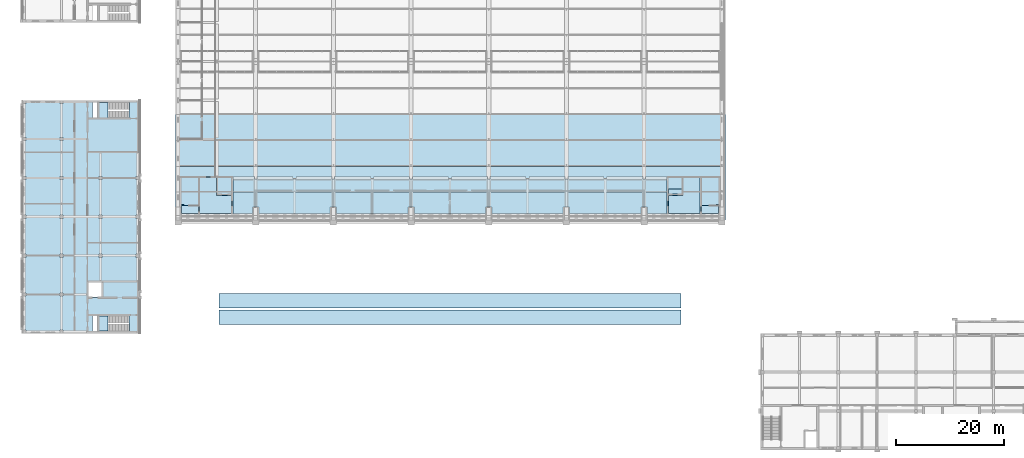
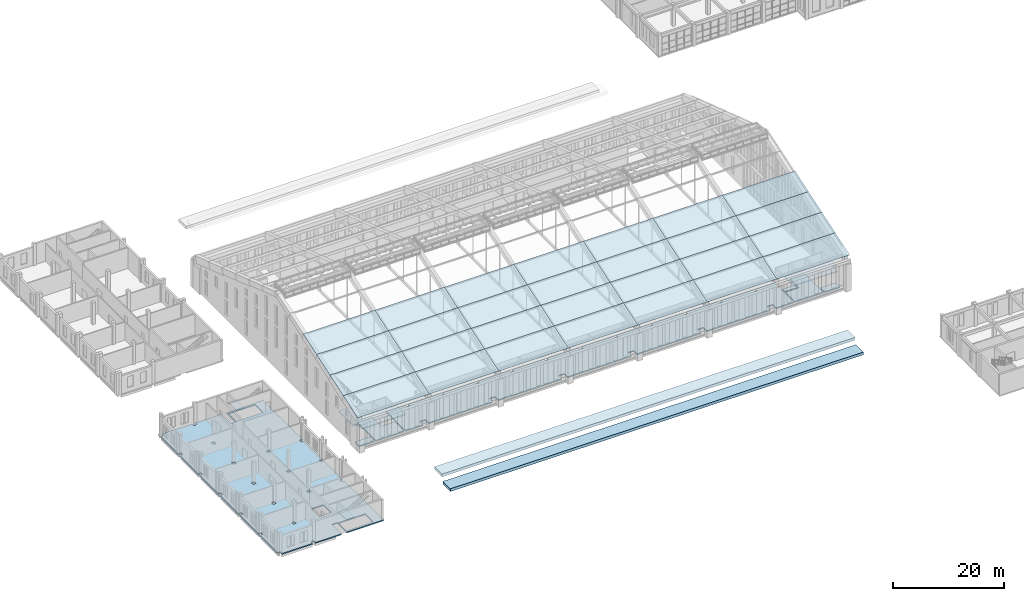
# One storey, part 110 of 149: 41 slabs, 2 elements without a shape of their own.
"""IFC4 building model written with IfcOpenShell, lengths in metres."""

from ifc_helpers import new_model, si_unit, direction, frame, origin, place, context, subcontext, project, spatial, polyline, outline, extrude, material, layer, layer_set, type_object, element, aggregate, save


model = new_model("IFC4")

# Units and contexts
model_context = context("Model", 3, precision=1e-05, world=origin(), true_north=direction((0.0, 1.0)))
body_context = subcontext(model_context, "Body", "Model", "MODEL_VIEW")
ifc_project = project(units=[si_unit("LENGTHUNIT", "METRE"), si_unit("AREAUNIT", "SQUARE_METRE"), si_unit("VOLUMEUNIT", "CUBIC_METRE"), si_unit("PLANEANGLEUNIT", "RADIAN"), si_unit("MASSUNIT", "GRAM", prefix="KILO")], contexts=[model_context])

# Site, building, storey
site_placement = place(None, origin())
site = spatial("IfcSite", under=ifc_project, at=site_placement, CompositionType="ELEMENT")
building_placement = place(site_placement, origin())
building = spatial("IfcBuilding", under=site, at=building_placement, Name="Alderwick Market Hall", CompositionType="ELEMENT")
storey_placement = place(building_placement, frame((0.0, 0.0, 9.60009765625)))
storey = spatial("IfcBuildingStorey", under=building, at=storey_placement, Name="L01", CompositionType="ELEMENT", Elevation=9.60009765625)

# Slabs
ifc_material_1 = material(Name="Planted soil build-up, Concrete 4000 psi (f'c 28 MPa) drainage layer", Category="concrete")
ifc_layer_1 = layer(ifc_material_1, 0.60009765625)
ifc_layer_set_1 = layer_set([ifc_layer_1], Name="Planted soil build-up, Concrete 4000 psi (f'c 28 MPa) drainage layer")
slab_type_1 = type_object("IfcSlabType", Name="A Planted Terrace Tread 600", PredefinedType="ROOF", material=ifc_layer_set_1)
slab_1_placement = place(storey_placement, frame((0.0, 0.0, 1.39990234375)))
element("IfcSlab", 1, at=slab_1_placement, inside=storey, type_object=slab_type_1, Name="Planted terrace tread 1", PredefinedType="ROOF", context=body_context, shape_type="SweptSolid", body=[
    extrude(outline(polyline([(58.0, 33.449951171875), (143.60009765625, 33.449951171875), (143.60009765625, 36.14990234375), (58.0, 36.14990234375), (58.0, 33.449951171875)])), origin(), (0.0, 0.0, 1.0), 0.60009765625),
])
slab_2_placement = place(storey_placement, origin())
element("IfcSlab", 2, at=slab_2_placement, inside=storey, type_object=slab_type_1, Name="Planted terrace tread 2", PredefinedType="ROOF", context=body_context, shape_type="SweptSolid", body=[
    extrude(outline(polyline([(58.0, 30.449951171875), (143.60009765625, 30.449951171875), (143.60009765625, 33.14990234375), (58.0, 33.14990234375), (58.0, 30.449951171875)])), origin(), (0.0, 0.0, 1.0), 0.599853515625),
])
ifc_material_2 = material(Name="Concrete 4000 psi (f'c 28 MPa)", Category="concrete")
ifc_layer_2 = layer(ifc_material_2, 0.25)
ifc_layer_set_2 = layer_set([ifc_layer_2], Name="Concrete 4000 psi (f'c 28 MPa)")
slab_type_2 = type_object("IfcSlabType", Name="B RC Floor Slab 250", PredefinedType="FLOOR", material=ifc_layer_set_2)
slab_3_placement = place(storey_placement, frame((0.0, 0.0, -0.25)))
element("IfcSlab", 3, at=slab_3_placement, inside=storey, type_object=slab_type_2, Name="B.S.slab.L01", PredefinedType="FLOOR", context=body_context, shape_type="SweptSolid", body=[
    extrude(outline(polyline([(22.199951171875, 65.10009765625), (21.60009765625, 65.10009765625), (21.60009765625, 71.39990234375), (22.199951171875, 71.39990234375), (22.199951171875, 72.0), (28.5, 72.0), (28.5, 71.39990234375), (29.10009765625, 71.39990234375), (29.10009765625, 72.0), (34.5, 72.0), (34.5, 68.60009765625), (35.60009765625, 68.60009765625), (35.60009765625, 72.0), (43.199951171875, 72.0), (43.199951171875, 57.89990234375), (42.60009765625, 57.89990234375), (42.60009765625, 57.300048828125), (43.199951171875, 57.300048828125), (43.199951171875, 50.699951171875), (42.60009765625, 50.699951171875), (42.60009765625, 50.10009765625), (43.199951171875, 50.10009765625), (43.199951171875, 43.5), (42.60009765625, 43.5), (42.60009765625, 42.89990234375), (43.199951171875, 42.89990234375), (43.199951171875, 28.800048828125), (35.60009765625, 28.800048828125), (35.60009765625, 32.199951171875), (34.5, 32.199951171875), (34.5, 28.800048828125), (29.10009765625, 28.800048828125), (29.10009765625, 29.39990234375), (28.5, 29.39990234375), (28.5, 28.800048828125), (22.199951171875, 28.800048828125), (22.199951171875, 29.39990234375), (21.60009765625, 29.39990234375), (21.60009765625, 35.699951171875), (22.199951171875, 35.699951171875), (22.199951171875, 36.300048828125), (21.60009765625, 36.300048828125), (21.60009765625, 42.89990234375), (22.199951171875, 42.89990234375), (22.199951171875, 43.5), (21.60009765625, 43.5), (21.60009765625, 50.10009765625), (22.199951171875, 50.10009765625), (22.199951171875, 50.699951171875), (21.60009765625, 50.699951171875), (21.60009765625, 57.300048828125), (22.199951171875, 57.300048828125), (22.199951171875, 57.89990234375), (21.60009765625, 57.89990234375), (21.60009765625, 64.5), (22.199951171875, 64.5), (22.199951171875, 65.10009765625)]), holes=[polyline([(29.10009765625, 36.300048828125), (28.5, 36.300048828125), (28.5, 35.699951171875), (29.10009765625, 35.699951171875), (29.10009765625, 36.300048828125)]), polyline([(29.10009765625, 42.89990234375), (29.10009765625, 43.5), (28.5, 43.5), (28.5, 42.89990234375), (29.10009765625, 42.89990234375)]), polyline([(28.5, 50.10009765625), (29.10009765625, 50.10009765625), (29.10009765625, 50.699951171875), (28.5, 50.699951171875), (28.5, 50.10009765625)]), polyline([(28.5, 57.89990234375), (28.5, 57.300048828125), (29.10009765625, 57.300048828125), (29.10009765625, 57.89990234375), (28.5, 57.89990234375)]), polyline([(29.10009765625, 65.10009765625), (28.5, 65.10009765625), (28.5, 64.5), (29.10009765625, 64.5), (29.10009765625, 65.10009765625)]), polyline([(35.699951171875, 42.89990234375), (36.300048828125, 42.89990234375), (36.300048828125, 43.5), (35.699951171875, 43.5), (35.699951171875, 42.89990234375)]), polyline([(35.699951171875, 50.699951171875), (35.699951171875, 50.10009765625), (36.300048828125, 50.10009765625), (36.300048828125, 50.699951171875), (35.699951171875, 50.699951171875)]), polyline([(36.300048828125, 57.89990234375), (35.699951171875, 57.89990234375), (35.699951171875, 57.300048828125), (36.300048828125, 57.300048828125), (36.300048828125, 57.89990234375)]), polyline([(41.2900390625, 32.050048828125), (35.75, 32.050048828125), (35.75, 29.199951171875), (41.2900390625, 29.199951171875), (41.2900390625, 32.050048828125)]), polyline([(36.25, 35.550048828125), (36.25, 38.25), (33.75, 38.25), (33.75, 35.550048828125), (36.25, 35.550048828125)]), polyline([(35.75, 71.60009765625), (35.75, 68.75), (41.2900390625, 68.75), (41.2900390625, 71.60009765625), (35.75, 71.60009765625)])]), origin(), (0.0, 0.0, 1.0), 0.25),
])

# Stair, slab
ifc_material_3 = material(Name="Concrete 5000 psi (f'c 35 MPa)", Category="concrete")
stair_type = type_object("IfcStairType", Name="B Exit Stair 1300", PredefinedType="TWO_STRAIGHT_RUN_STAIR", material=ifc_material_3)
stair_1_placement = place(storey_placement, origin())
stair_1 = element("IfcStair", 4, at=stair_1_placement, inside=storey, type_object=stair_type, Name="Stair S-1 L01", PredefinedType="TWO_STRAIGHT_RUN_STAIR")
ifc_layer_3 = layer(ifc_material_3, 0.199951171875)
ifc_layer_set_3 = layer_set([ifc_layer_3], Name="Concrete 5000 psi (f'c 35 MPa)")
slab_type_3 = type_object("IfcSlabType", Name="B Stair Landing 200", PredefinedType="LANDING", material=ifc_layer_set_3)
slab_4_placement = place(storey_placement, frame((0.0, 0.0, 2.199951171875)))
slab_4 = element("IfcSlab", 5, at=slab_4_placement, type_object=slab_type_3, Name="B-ST-S-1-L01 landing 1", PredefinedType="LANDING", context=body_context, shape_type="SweptSolid", body=[
    extrude(outline(polyline([(35.75, 29.199951171875), (37.3798828125, 29.199951171875), (37.3798828125, 32.050048828125), (35.75, 32.050048828125), (35.75, 29.199951171875)])), origin(), (0.0, 0.0, 1.0), 0.199951171875),
])
aggregate(stair_1, [slab_4])

stair_2_placement = place(storey_placement, origin())
stair_2 = element("IfcStair", 6, at=stair_2_placement, inside=storey, type_object=stair_type, Name="Stair S-2 L01", PredefinedType="TWO_STRAIGHT_RUN_STAIR")
slab_5_placement = place(storey_placement, frame((0.0, 0.0, 2.199951171875)))
slab_5 = element("IfcSlab", 7, at=slab_5_placement, type_object=slab_type_3, Name="B-ST-S-2-L01 landing 1", PredefinedType="LANDING", context=body_context, shape_type="SweptSolid", body=[
    extrude(outline(polyline([(35.75, 71.60009765625), (37.3798828125, 71.60009765625), (37.3798828125, 68.75), (35.75, 68.75), (35.75, 71.60009765625)])), origin(), (0.0, 0.0, 1.0), 0.199951171875),
])
aggregate(stair_2, [slab_5])

# Slabs
ifc_layer_4 = layer(ifc_material_2, 0.199951171875)
ifc_layer_set_4 = layer_set([ifc_layer_4], Name="Concrete 4000 psi (f'c 28 MPa)")
slab_type_4 = type_object("IfcSlabType", Name="H Core roof slab 200", PredefinedType="ROOF", material=ifc_layer_set_4)
slab_6_placement = place(storey_placement, frame((0.0, 0.0, 3.39990234375)))
element("IfcSlab", 8, at=slab_6_placement, inside=storey, type_object=slab_type_4, Name="Core roof H-SW", PredefinedType="ROOF", context=body_context, shape_type="SweptSolid", body=[
    extrude(outline(polyline([(50.699951171875, 57.889892578125), (60.550048828125, 57.889892578125), (60.550048828125, 51.0), (51.5, 51.0), (51.5, 52.699951171875), (50.699951171875, 52.699951171875), (50.699951171875, 57.889892578125)])), origin(), (0.0, 0.0, 1.0), 0.199951171875),
])
slab_7_placement = place(storey_placement, frame((0.0, 0.0, 3.39990234375)))
element("IfcSlab", 9, at=slab_7_placement, inside=storey, type_object=slab_type_4, Name="Core roof H-SE", PredefinedType="ROOF", context=body_context, shape_type="SweptSolid", body=[
    extrude(outline(polyline([(141.050048828125, 51.0), (141.050048828125, 57.889892578125), (150.89990234375, 57.889892578125), (150.89990234375, 52.699951171875), (150.10009765625, 52.699951171875), (150.10009765625, 51.0), (141.050048828125, 51.0)])), origin(), (0.0, 0.0, 1.0), 0.199951171875),
])
ifc_layer_5 = layer(ifc_material_2, 0.25)
ifc_layer_set_5 = layer_set([ifc_layer_5], Name="Concrete 4000 psi (f'c 28 MPa)")
slab_type_5 = type_object("IfcSlabType", Name="H Gallery slab 250", PredefinedType="FLOOR", material=ifc_layer_set_5)
slab_8_placement = place(storey_placement, frame((0.0, 0.0, -0.25)))
element("IfcSlab", 10, at=slab_8_placement, inside=storey, type_object=slab_type_5, Name="Gallery floor L01", PredefinedType="FLOOR", context=body_context, shape_type="SweptSolid", body=[
    extrude(outline(polyline([(137.39990234375, 52.199951171875), (136.199951171875, 52.199951171875), (136.199951171875, 51.0), (123.0, 51.0), (123.0, 52.199951171875), (121.800048828125, 52.199951171875), (121.800048828125, 51.0), (108.60009765625, 51.0), (108.60009765625, 52.199951171875), (107.39990234375, 52.199951171875), (107.39990234375, 51.0), (94.199951171875, 51.0), (94.199951171875, 52.199951171875), (93.0, 52.199951171875), (93.0, 51.0), (79.800048828125, 51.0), (79.800048828125, 52.199951171875), (78.60009765625, 52.199951171875), (78.60009765625, 51.0), (65.39990234375, 51.0), (65.39990234375, 52.199951171875), (64.199951171875, 52.199951171875), (64.199951171875, 51.0), (60.550048828125, 51.0), (60.550048828125, 57.889892578125), (64.550048828125, 57.889892578125), (64.550048828125, 57.389892578125), (65.050048828125, 57.389892578125), (65.050048828125, 57.889892578125), (71.75, 57.889892578125), (71.75, 57.389892578125), (72.25, 57.389892578125), (72.25, 57.889892578125), (78.949951171875, 57.889892578125), (78.949951171875, 57.389892578125), (79.449951171875, 57.389892578125), (79.449951171875, 57.889892578125), (86.14990234375, 57.889892578125), (86.14990234375, 57.389892578125), (86.64990234375, 57.389892578125), (86.64990234375, 57.889892578125), (93.35009765625, 57.889892578125), (93.35009765625, 57.389892578125), (93.85009765625, 57.389892578125), (93.85009765625, 57.889892578125), (100.550048828125, 57.889892578125), (100.550048828125, 57.389892578125), (101.050048828125, 57.389892578125), (101.050048828125, 57.889892578125), (107.75, 57.889892578125), (107.75, 57.389892578125), (108.25, 57.389892578125), (108.25, 57.889892578125), (114.949951171875, 57.889892578125), (114.949951171875, 57.389892578125), (115.449951171875, 57.389892578125), (115.449951171875, 57.889892578125), (122.14990234375, 57.889892578125), (122.14990234375, 57.389892578125), (122.64990234375, 57.389892578125), (122.64990234375, 57.889892578125), (129.35009765625, 57.889892578125), (129.35009765625, 57.389892578125), (129.85009765625, 57.389892578125), (129.85009765625, 57.889892578125), (136.550048828125, 57.889892578125), (136.550048828125, 57.389892578125), (137.050048828125, 57.389892578125), (137.050048828125, 57.889892578125), (141.050048828125, 57.889892578125), (141.050048828125, 51.0), (137.39990234375, 51.0), (137.39990234375, 52.199951171875)])), origin(), (0.0, 0.0, 1.0), 0.25),
])
slab_9_placement = place(storey_placement, frame((0.0, 0.0, -0.25)))
element("IfcSlab", 11, at=slab_9_placement, inside=storey, type_object=slab_type_5, Name="Core floor H-SW L01", PredefinedType="FLOOR", context=body_context, shape_type="SweptSolid", body=[
    extrude(outline(polyline([(51.0, 52.5), (54.14990234375, 52.5), (54.14990234375, 51.0), (51.0, 51.0), (51.0, 52.5)])), origin(), (0.0, 0.0, 1.0), 0.25),
])
slab_10_placement = place(storey_placement, frame((0.0, 0.0, -0.25)))
element("IfcSlab", 12, at=slab_10_placement, inside=storey, type_object=slab_type_5, Name="Core floor H-SW L01", PredefinedType="FLOOR", context=body_context, shape_type="SweptSolid", body=[
    extrude(outline(polyline([(57.550048828125, 57.639892578125), (57.550048828125, 54.389892578125), (60.300048828125, 54.389892578125), (60.300048828125, 51.0), (54.39990234375, 51.0), (54.39990234375, 57.639892578125), (57.550048828125, 57.639892578125)])), origin(), (0.0, 0.0, 1.0), 0.25),
])
slab_11_placement = place(storey_placement, frame((0.0, 0.0, -0.25)))
element("IfcSlab", 13, at=slab_11_placement, inside=storey, type_object=slab_type_5, Name="Core floor H-SE L01", PredefinedType="FLOOR", context=body_context, shape_type="SweptSolid", body=[
    extrude(outline(polyline([(150.60009765625, 51.0), (147.449951171875, 51.0), (147.449951171875, 52.5), (150.60009765625, 52.5), (150.60009765625, 51.0)])), origin(), (0.0, 0.0, 1.0), 0.25),
])
slab_12_placement = place(storey_placement, frame((0.0, 0.0, -0.25)))
element("IfcSlab", 14, at=slab_12_placement, inside=storey, type_object=slab_type_5, Name="Core floor H-SE L01", PredefinedType="FLOOR", context=body_context, shape_type="SweptSolid", body=[
    extrude(outline(polyline([(141.300048828125, 54.389892578125), (144.050048828125, 54.389892578125), (144.050048828125, 57.639892578125), (147.199951171875, 57.639892578125), (147.199951171875, 51.0), (141.300048828125, 51.0), (141.300048828125, 54.389892578125)])), origin(), (0.0, 0.0, 1.0), 0.25),
])
slab_13_placement = place(storey_placement, frame((0.0, 0.0, -0.25)))
element("IfcSlab", 15, at=slab_13_placement, inside=storey, type_object=slab_type_5, Name="Core floor H-SE L01", PredefinedType="FLOOR", context=body_context, shape_type="SweptSolid", body=[
    extrude(outline(polyline([(141.300048828125, 55.5400390625), (143.800048828125, 55.5400390625), (143.800048828125, 54.639892578125), (141.300048828125, 54.639892578125), (141.300048828125, 55.5400390625)])), origin(), (0.0, 0.0, 1.0), 0.25),
])
ifc_material_4 = material(Name="Steel ASTM A653 Grade 50 roof deck", Category="steel")
ifc_layer_6 = layer(ifc_material_4, 0.080078125)
ifc_layer_set_6 = layer_set([ifc_layer_6], Name="Steel ASTM A653 Grade 50 roof deck")
slab_type_6 = type_object("IfcSlabType", Name="R Roof Deck 80 mm", PredefinedType="ROOF", material=ifc_layer_set_6)
slab_14_placement = place(storey_placement, frame((49.949951171875, 49.774658203125, 7.266357421875), z_axis=(0.0, -0.316227766017, 0.948683298051), x_axis=(1.0, 0.0, 0.0)))
element("IfcSlab", 16, at=slab_14_placement, inside=storey, type_object=slab_type_6, Name="Roof deck 1.1", PredefinedType="ROOF", context=body_context, shape_type="SweptSolid", body=[
    extrude(outline(polyline([(0.0, 0.0), (14.85009765625, 0.0), (14.85009765625, 5.442113092413796), (0.0, 5.442113092413796), (0.0, 0.0)])), origin(), (0.0, 0.0, -1.0), 0.080078125),
])
slab_15_placement = place(storey_placement, frame((49.949951171875, 54.9375, 8.9873046875), z_axis=(0.0, -0.316242241517, 0.948678472761), x_axis=(1.0, 0.0, 0.0)))
element("IfcSlab", 17, at=slab_15_placement, inside=storey, type_object=slab_type_6, Name="Roof deck 1.2", PredefinedType="ROOF", context=body_context, shape_type="SweptSolid", body=[
    extrude(outline(polyline([(0.0, 0.0), (14.85009765625, 0.0), (14.85009765625, 5.059721460902856), (0.0, 5.059721460902856), (0.0, 0.0)])), origin(), (0.0, 0.0, -1.0), 0.080078125),
])
slab_16_placement = place(storey_placement, frame((49.949951171875, 59.737548828125, 10.58740234375), z_axis=(0.0, -0.316198814353, 0.948692948114), x_axis=(1.0, 0.0, 0.0)))
element("IfcSlab", 18, at=slab_16_placement, inside=storey, type_object=slab_type_6, Name="Roof deck 1.3", PredefinedType="ROOF", context=body_context, shape_type="SweptSolid", body=[
    extrude(outline(polyline([(0.0, 0.0), (14.85009765625, 0.0), (14.85009765625, 5.059644258625488), (0.0, 5.059644258625488), (0.0, 0.0)])), origin(), (0.0, 0.0, -1.0), 0.080078125),
])
slab_17_placement = place(storey_placement, frame((49.949951171875, 64.53759765625, 12.187255859375), z_axis=(0.0, -0.316242241517, 0.948678472761), x_axis=(1.0, 0.0, 0.0)))
element("IfcSlab", 19, at=slab_17_placement, inside=storey, type_object=slab_type_6, Name="Roof deck 1.4", PredefinedType="ROOF", context=body_context, shape_type="SweptSolid", body=[
    extrude(outline(polyline([(0.0, 0.0), (14.85009765625, 0.0), (14.85009765625, 5.059721460902856), (0.0, 5.059721460902856), (0.0, 0.0)])), origin(), (0.0, 0.0, -1.0), 0.080078125),
])
slab_18_placement = place(storey_placement, frame((64.800048828125, 49.774658203125, 7.266357421875), z_axis=(0.0, -0.316227766017, 0.948683298051), x_axis=(1.0, 0.0, 0.0)))
element("IfcSlab", 20, at=slab_18_placement, inside=storey, type_object=slab_type_6, Name="Roof deck 2.1", PredefinedType="ROOF", context=body_context, shape_type="SweptSolid", body=[
    extrude(outline(polyline([(0.0, 0.0), (14.39990234375, 0.0), (14.39990234375, 5.442113092413796), (0.0, 5.442113092413796), (0.0, 0.0)])), origin(), (0.0, 0.0, -1.0), 0.080078125),
])
slab_19_placement = place(storey_placement, frame((64.800048828125, 54.9375, 8.9873046875), z_axis=(0.0, -0.316242241517, 0.948678472761), x_axis=(1.0, 0.0, 0.0)))
element("IfcSlab", 21, at=slab_19_placement, inside=storey, type_object=slab_type_6, Name="Roof deck 2.2", PredefinedType="ROOF", context=body_context, shape_type="SweptSolid", body=[
    extrude(outline(polyline([(0.0, 0.0), (14.39990234375, 0.0), (14.39990234375, 5.059721460902856), (0.0, 5.059721460902856), (0.0, 0.0)])), origin(), (0.0, 0.0, -1.0), 0.080078125),
])
slab_20_placement = place(storey_placement, frame((64.800048828125, 59.737548828125, 10.58740234375), z_axis=(0.0, -0.316198814353, 0.948692948114), x_axis=(1.0, 0.0, 0.0)))
element("IfcSlab", 22, at=slab_20_placement, inside=storey, type_object=slab_type_6, Name="Roof deck 2.3", PredefinedType="ROOF", context=body_context, shape_type="SweptSolid", body=[
    extrude(outline(polyline([(0.0, 0.0), (14.39990234375, 0.0), (14.39990234375, 5.059644258625488), (0.0, 5.059644258625488), (0.0, 0.0)])), origin(), (0.0, 0.0, -1.0), 0.080078125),
])
slab_21_placement = place(storey_placement, frame((64.800048828125, 64.53759765625, 12.187255859375), z_axis=(0.0, -0.316242241517, 0.948678472761), x_axis=(1.0, 0.0, 0.0)))
element("IfcSlab", 23, at=slab_21_placement, inside=storey, type_object=slab_type_6, Name="Roof deck 2.4", PredefinedType="ROOF", context=body_context, shape_type="SweptSolid", body=[
    extrude(outline(polyline([(0.0, 0.0), (14.39990234375, 0.0), (14.39990234375, 5.059721460902856), (0.0, 5.059721460902856), (0.0, 0.0)])), origin(), (0.0, 0.0, -1.0), 0.080078125),
])
slab_22_placement = place(storey_placement, frame((79.199951171875, 49.774658203125, 7.266357421875), z_axis=(0.0, -0.316227766017, 0.948683298051), x_axis=(1.0, 0.0, 0.0)))
element("IfcSlab", 24, at=slab_22_placement, inside=storey, type_object=slab_type_6, Name="Roof deck 3.1", PredefinedType="ROOF", context=body_context, shape_type="SweptSolid", body=[
    extrude(outline(polyline([(0.0, 0.0), (14.400146484375, 0.0), (14.400146484375, 5.442113092413796), (0.0, 5.442113092413796), (0.0, 0.0)])), origin(), (0.0, 0.0, -1.0), 0.080078125),
])
slab_23_placement = place(storey_placement, frame((79.199951171875, 54.9375, 8.9873046875), z_axis=(0.0, -0.316242241517, 0.948678472761), x_axis=(1.0, 0.0, 0.0)))
element("IfcSlab", 25, at=slab_23_placement, inside=storey, type_object=slab_type_6, Name="Roof deck 3.2", PredefinedType="ROOF", context=body_context, shape_type="SweptSolid", body=[
    extrude(outline(polyline([(0.0, 0.0), (14.400146484375, 0.0), (14.400146484375, 5.059721460902856), (0.0, 5.059721460902856), (0.0, 0.0)])), origin(), (0.0, 0.0, -1.0), 0.080078125),
])
slab_24_placement = place(storey_placement, frame((79.199951171875, 59.737548828125, 10.58740234375), z_axis=(0.0, -0.316198814353, 0.948692948114), x_axis=(1.0, 0.0, 0.0)))
element("IfcSlab", 26, at=slab_24_placement, inside=storey, type_object=slab_type_6, Name="Roof deck 3.3", PredefinedType="ROOF", context=body_context, shape_type="SweptSolid", body=[
    extrude(outline(polyline([(0.0, 0.0), (14.400146484375, 0.0), (14.400146484375, 5.059644258625487), (0.0, 5.059644258625487), (0.0, 0.0)])), origin(), (0.0, 0.0, -1.0), 0.080078125),
])
slab_25_placement = place(storey_placement, frame((79.199951171875, 64.53759765625, 12.187255859375), z_axis=(0.0, -0.316242241517, 0.948678472761), x_axis=(1.0, 0.0, 0.0)))
element("IfcSlab", 27, at=slab_25_placement, inside=storey, type_object=slab_type_6, Name="Roof deck 3.4", PredefinedType="ROOF", context=body_context, shape_type="SweptSolid", body=[
    extrude(outline(polyline([(0.0, 0.0), (14.400146484375, 0.0), (14.400146484375, 5.059721460902856), (0.0, 5.059721460902856), (0.0, 0.0)])), origin(), (0.0, 0.0, -1.0), 0.080078125),
])
slab_26_placement = place(storey_placement, frame((93.60009765625, 49.774658203125, 7.266357421875), z_axis=(0.0, -0.316227766017, 0.948683298051), x_axis=(1.0, 0.0, 0.0)))
element("IfcSlab", 28, at=slab_26_placement, inside=storey, type_object=slab_type_6, Name="Roof deck 4.1", PredefinedType="ROOF", context=body_context, shape_type="SweptSolid", body=[
    extrude(outline(polyline([(0.0, 0.0), (14.39990234375, 0.0), (14.39990234375, 5.442113092413796), (0.0, 5.442113092413796), (0.0, 0.0)])), origin(), (0.0, 0.0, -1.0), 0.080078125),
])
slab_27_placement = place(storey_placement, frame((93.60009765625, 54.9375, 8.9873046875), z_axis=(0.0, -0.316242241517, 0.948678472761), x_axis=(1.0, 0.0, 0.0)))
element("IfcSlab", 29, at=slab_27_placement, inside=storey, type_object=slab_type_6, Name="Roof deck 4.2", PredefinedType="ROOF", context=body_context, shape_type="SweptSolid", body=[
    extrude(outline(polyline([(0.0, 0.0), (14.39990234375, 0.0), (14.39990234375, 5.059721460902856), (0.0, 5.059721460902856), (0.0, 0.0)])), origin(), (0.0, 0.0, -1.0), 0.080078125),
])
slab_28_placement = place(storey_placement, frame((93.60009765625, 59.737548828125, 10.58740234375), z_axis=(0.0, -0.316198814353, 0.948692948114), x_axis=(1.0, 0.0, 0.0)))
element("IfcSlab", 30, at=slab_28_placement, inside=storey, type_object=slab_type_6, Name="Roof deck 4.3", PredefinedType="ROOF", context=body_context, shape_type="SweptSolid", body=[
    extrude(outline(polyline([(0.0, 0.0), (14.39990234375, 0.0), (14.39990234375, 5.059644258625488), (0.0, 5.059644258625488), (0.0, 0.0)])), origin(), (0.0, 0.0, -1.0), 0.080078125),
])
slab_29_placement = place(storey_placement, frame((93.60009765625, 64.53759765625, 12.187255859375), z_axis=(0.0, -0.316242241517, 0.948678472761), x_axis=(1.0, 0.0, 0.0)))
element("IfcSlab", 31, at=slab_29_placement, inside=storey, type_object=slab_type_6, Name="Roof deck 4.4", PredefinedType="ROOF", context=body_context, shape_type="SweptSolid", body=[
    extrude(outline(polyline([(0.0, 0.0), (14.39990234375, 0.0), (14.39990234375, 5.059721460902856), (0.0, 5.059721460902856), (0.0, 0.0)])), origin(), (0.0, 0.0, -1.0), 0.080078125),
])
slab_30_placement = place(storey_placement, frame((108.0, 49.774658203125, 7.266357421875), z_axis=(0.0, -0.316227766017, 0.948683298051), x_axis=(1.0, 0.0, 0.0)))
element("IfcSlab", 32, at=slab_30_placement, inside=storey, type_object=slab_type_6, Name="Roof deck 5.1", PredefinedType="ROOF", context=body_context, shape_type="SweptSolid", body=[
    extrude(outline(polyline([(0.0, 0.0), (14.39990234375, 0.0), (14.39990234375, 5.442113092413796), (0.0, 5.442113092413796), (0.0, 0.0)])), origin(), (0.0, 0.0, -1.0), 0.080078125),
])
slab_31_placement = place(storey_placement, frame((108.0, 54.9375, 8.9873046875), z_axis=(0.0, -0.316242241517, 0.948678472761), x_axis=(1.0, 0.0, 0.0)))
element("IfcSlab", 33, at=slab_31_placement, inside=storey, type_object=slab_type_6, Name="Roof deck 5.2", PredefinedType="ROOF", context=body_context, shape_type="SweptSolid", body=[
    extrude(outline(polyline([(0.0, 0.0), (14.39990234375, 0.0), (14.39990234375, 5.059721460902856), (0.0, 5.059721460902856), (0.0, 0.0)])), origin(), (0.0, 0.0, -1.0), 0.080078125),
])
slab_32_placement = place(storey_placement, frame((108.0, 59.737548828125, 10.58740234375), z_axis=(0.0, -0.316198814353, 0.948692948114), x_axis=(1.0, 0.0, 0.0)))
element("IfcSlab", 34, at=slab_32_placement, inside=storey, type_object=slab_type_6, Name="Roof deck 5.3", PredefinedType="ROOF", context=body_context, shape_type="SweptSolid", body=[
    extrude(outline(polyline([(0.0, 0.0), (14.39990234375, 0.0), (14.39990234375, 5.059644258625488), (0.0, 5.059644258625488), (0.0, 0.0)])), origin(), (0.0, 0.0, -1.0), 0.080078125),
])
slab_33_placement = place(storey_placement, frame((108.0, 64.53759765625, 12.187255859375), z_axis=(0.0, -0.316242241517, 0.948678472761), x_axis=(1.0, 0.0, 0.0)))
element("IfcSlab", 35, at=slab_33_placement, inside=storey, type_object=slab_type_6, Name="Roof deck 5.4", PredefinedType="ROOF", context=body_context, shape_type="SweptSolid", body=[
    extrude(outline(polyline([(0.0, 0.0), (14.39990234375, 0.0), (14.39990234375, 5.059721460902856), (0.0, 5.059721460902856), (0.0, 0.0)])), origin(), (0.0, 0.0, -1.0), 0.080078125),
])
slab_34_placement = place(storey_placement, frame((122.39990234375, 49.774658203125, 7.266357421875), z_axis=(0.0, -0.316227766017, 0.948683298051), x_axis=(1.0, 0.0, 0.0)))
element("IfcSlab", 36, at=slab_34_placement, inside=storey, type_object=slab_type_6, Name="Roof deck 6.1", PredefinedType="ROOF", context=body_context, shape_type="SweptSolid", body=[
    extrude(outline(polyline([(0.0, 0.0), (14.400146484375, 0.0), (14.400146484375, 5.442113092413796), (0.0, 5.442113092413796), (0.0, 0.0)])), origin(), (0.0, 0.0, -1.0), 0.080078125),
])
slab_35_placement = place(storey_placement, frame((122.39990234375, 54.9375, 8.9873046875), z_axis=(0.0, -0.316242241517, 0.948678472761), x_axis=(1.0, 0.0, 0.0)))
element("IfcSlab", 37, at=slab_35_placement, inside=storey, type_object=slab_type_6, Name="Roof deck 6.2", PredefinedType="ROOF", context=body_context, shape_type="SweptSolid", body=[
    extrude(outline(polyline([(0.0, 0.0), (14.400146484375, 0.0), (14.400146484375, 5.059721460902856), (0.0, 5.059721460902856), (0.0, 0.0)])), origin(), (0.0, 0.0, -1.0), 0.080078125),
])
slab_36_placement = place(storey_placement, frame((122.39990234375, 59.737548828125, 10.58740234375), z_axis=(0.0, -0.316198814353, 0.948692948114), x_axis=(1.0, 0.0, 0.0)))
element("IfcSlab", 38, at=slab_36_placement, inside=storey, type_object=slab_type_6, Name="Roof deck 6.3", PredefinedType="ROOF", context=body_context, shape_type="SweptSolid", body=[
    extrude(outline(polyline([(0.0, 0.0), (14.400146484375, 0.0), (14.400146484375, 5.059644258625487), (0.0, 5.059644258625487), (0.0, 0.0)])), origin(), (0.0, 0.0, -1.0), 0.080078125),
])
slab_37_placement = place(storey_placement, frame((122.39990234375, 64.53759765625, 12.187255859375), z_axis=(0.0, -0.316242241517, 0.948678472761), x_axis=(1.0, 0.0, 0.0)))
element("IfcSlab", 39, at=slab_37_placement, inside=storey, type_object=slab_type_6, Name="Roof deck 6.4", PredefinedType="ROOF", context=body_context, shape_type="SweptSolid", body=[
    extrude(outline(polyline([(0.0, 0.0), (14.400146484375, 0.0), (14.400146484375, 5.059721460902856), (0.0, 5.059721460902856), (0.0, 0.0)])), origin(), (0.0, 0.0, -1.0), 0.080078125),
])
slab_38_placement = place(storey_placement, frame((136.800048828125, 49.774658203125, 7.266357421875), z_axis=(0.0, -0.316227766017, 0.948683298051), x_axis=(1.0, 0.0, 0.0)))
element("IfcSlab", 40, at=slab_38_placement, inside=storey, type_object=slab_type_6, Name="Roof deck 7.1", PredefinedType="ROOF", context=body_context, shape_type="SweptSolid", body=[
    extrude(outline(polyline([(0.0, 0.0), (15.099853515625, 0.0), (15.099853515625, 5.442113092413796), (0.0, 5.442113092413796), (0.0, 0.0)])), origin(), (0.0, 0.0, -1.0), 0.080078125),
])
slab_39_placement = place(storey_placement, frame((136.800048828125, 54.9375, 8.9873046875), z_axis=(0.0, -0.316242241517, 0.948678472761), x_axis=(1.0, 0.0, 0.0)))
element("IfcSlab", 41, at=slab_39_placement, inside=storey, type_object=slab_type_6, Name="Roof deck 7.2", PredefinedType="ROOF", context=body_context, shape_type="SweptSolid", body=[
    extrude(outline(polyline([(0.0, 0.0), (15.099853515625, 0.0), (15.099853515625, 5.059721460902855), (0.0, 5.059721460902855), (0.0, 0.0)])), origin(), (0.0, 0.0, -1.0), 0.080078125),
])
slab_40_placement = place(storey_placement, frame((136.800048828125, 59.737548828125, 10.58740234375), z_axis=(0.0, -0.316198814353, 0.948692948114), x_axis=(1.0, 0.0, 0.0)))
element("IfcSlab", 42, at=slab_40_placement, inside=storey, type_object=slab_type_6, Name="Roof deck 7.3", PredefinedType="ROOF", context=body_context, shape_type="SweptSolid", body=[
    extrude(outline(polyline([(0.0, 0.0), (15.099853515625, 0.0), (15.099853515625, 5.059644258625488), (0.0, 5.059644258625488), (0.0, 0.0)])), origin(), (0.0, 0.0, -1.0), 0.080078125),
])
slab_41_placement = place(storey_placement, frame((136.800048828125, 64.53759765625, 12.187255859375), z_axis=(0.0, -0.316242241517, 0.948678472761), x_axis=(1.0, 0.0, 0.0)))
element("IfcSlab", 43, at=slab_41_placement, inside=storey, type_object=slab_type_6, Name="Roof deck 7.4", PredefinedType="ROOF", context=body_context, shape_type="SweptSolid", body=[
    extrude(outline(polyline([(0.0, 0.0), (15.099853515625, 0.0), (15.099853515625, 5.059721460902855), (0.0, 5.059721460902855), (0.0, 0.0)])), origin(), (0.0, 0.0, -1.0), 0.080078125),
])

save(model, "model.ifc")
